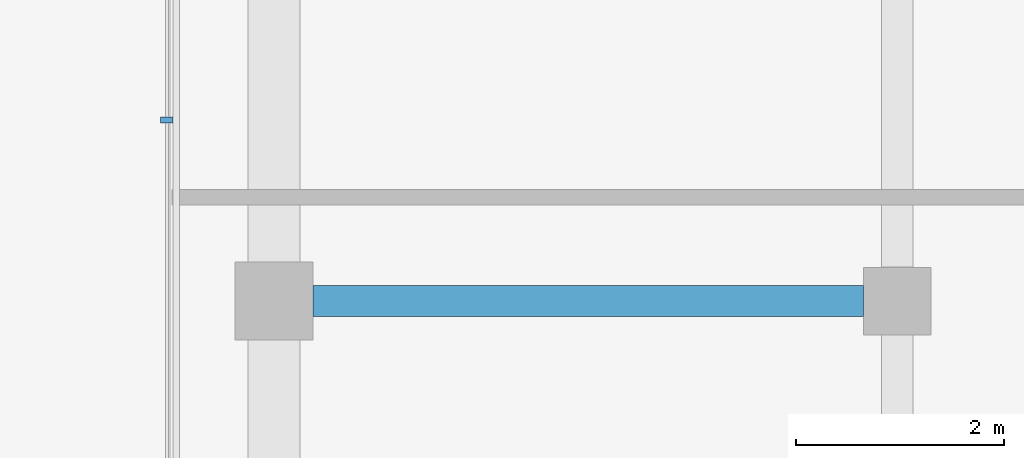
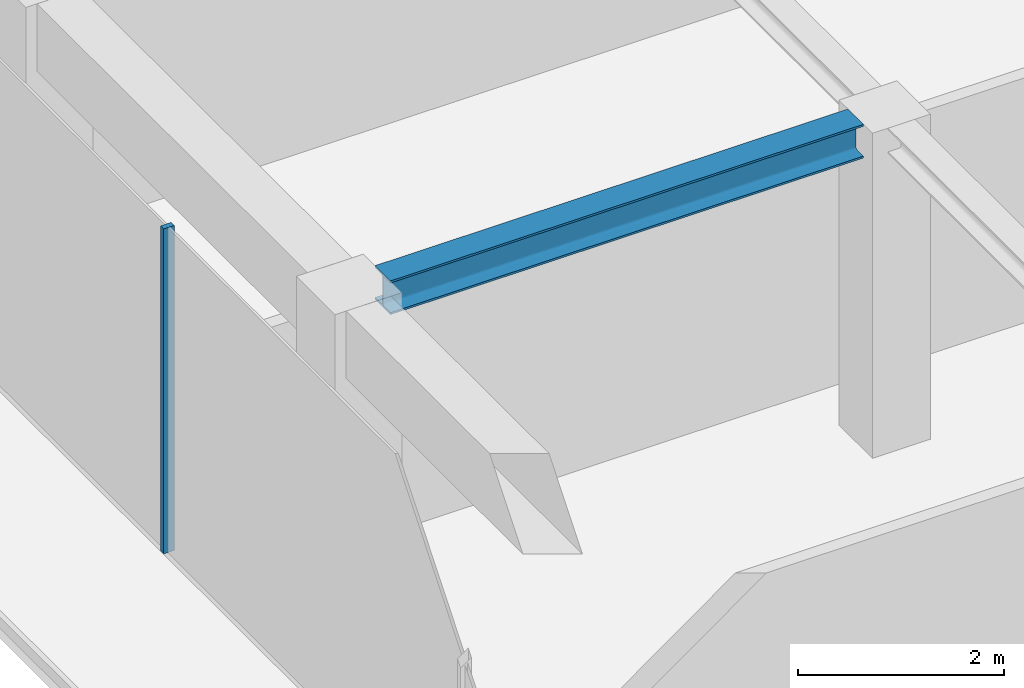
# One storey, part 8 of 18: 1 beam, 1 member, 1 element without a shape of its own.
"""IFC4 building model written with IfcOpenShell, lengths in metres."""

from ifc_helpers import new_model, si_unit, direction, frame, origin, origin_2d, place, context, subcontext, project, spatial, rectangle, i_section, extrude, material, layer, layer_set, material_profile, profile_set, type_object, element, aggregate, save


model = new_model("IFC4")

# Units and contexts
model_context = context("Model", 3, precision=1e-05, world=origin(), true_north=direction((0.0, 1.0)))
body_context = subcontext(model_context, "Body", "Model", "MODEL_VIEW")
ifc_project = project(units=[si_unit("LENGTHUNIT", "METRE"), si_unit("AREAUNIT", "SQUARE_METRE"), si_unit("VOLUMEUNIT", "CUBIC_METRE"), si_unit("PLANEANGLEUNIT", "RADIAN"), si_unit("MASSUNIT", "GRAM", prefix="KILO")], contexts=[model_context])

# Site, building, storey
site_placement = place(None, origin())
site = spatial("IfcSite", under=ifc_project, at=site_placement, CompositionType="ELEMENT")
building_placement = place(site_placement, origin())
building = spatial("IfcBuilding", under=site, at=building_placement, Name="Welwitschia Terrace Campus", CompositionType="ELEMENT")
storey_placement = place(building_placement, frame((0.0, 0.0, 285.199951171875)))
storey = spatial("IfcBuildingStorey", under=building, at=storey_placement, Name="L63", CompositionType="ELEMENT", Elevation=285.199951171875)

# Curtain wall, member
ifc_material_1 = material(Name="Bronze anodised aluminium", Category="aluminium")
ifc_layer = layer(ifc_material_1, 0.1201171875)
ifc_layer_set = layer_set([ifc_layer], Name="Bronze anodised aluminium")
curtain_wall_type = type_object("IfcCurtainWallType", Name="Curtain wall CW2 tower 6000", PredefinedType="NOTDEFINED", material=ifc_layer_set)
curtain_wall_placement = place(storey_placement, origin())
curtain_wall = element("IfcCurtainWall", 1, at=curtain_wall_placement, inside=storey, type_object=curtain_wall_type, Name="CW L63.1.0", PredefinedType="NOTDEFINED")
ifc_material_2 = material(Name="Bronze anodised aluminium", Category="aluminium")
ifc_material_profile_1 = material_profile(ifc_material_2, rectangle(XDim=0.1201171875, YDim=0.06005859375, at=origin_2d()))
ifc_profile_set_1 = profile_set([ifc_material_profile_1], Name="Bronze anodised aluminium")
member_type = type_object("IfcMemberType", Name="Mullion 60x120", PredefinedType="MULLION", material=ifc_profile_set_1)
member_placement = place(storey_placement, frame((-1.030029296875, 45.74169921875, 0.0), z_axis=(0.0, 0.0, 1.0), x_axis=(1.0, 0.0, 0.0)))
member = element("IfcMember", 2, at=member_placement, type_object=member_type, Name="Mullion L63.1.0.3", PredefinedType="MULLION", context=body_context, shape_type="SweptSolid", body=[
    extrude(rectangle(XDim=0.1201171875, YDim=0.06005859375, at=origin_2d()), origin(), (0.0, 0.0, 1.0), 3.85009765625),
])
aggregate(curtain_wall, [member])

# Beam
ifc_material_3 = material(Name="Steel S355", Category="steel")
ifc_material_profile_2 = material_profile(ifc_material_3, i_section(OverallWidth=0.300048828125, OverallDepth=0.39990234375, WebThickness=0.013427734375, FlangeThickness=0.02392578125, FilletRadius=0.027099609375, at=origin_2d()))
ifc_profile_set_2 = profile_set([ifc_material_profile_2], Name="Steel S355")
beam_type = type_object("IfcBeamType", Name="Primary beam HE 400 B", PredefinedType="BEAM", material=ifc_profile_set_2)
beam_placement = place(storey_placement, frame((0.37548828125, 44.0, 3.650146484375), z_axis=(1.0, 0.0, 0.0), x_axis=(0.0, 1.0, 0.0)))
element("IfcBeam", 3, at=beam_placement, inside=storey, type_object=beam_type, Name="Primary beam PB6", PredefinedType="BEAM", context=body_context, shape_type="SweptSolid", body=[
    extrude(i_section(OverallWidth=0.300048828125, OverallDepth=0.39990234375, WebThickness=0.013427734375, FlangeThickness=0.02392578125, FilletRadius=0.027099609375, at=origin_2d()), origin(), (0.0, 0.0, 1.0), 5.299072265625),
])

save(model, "model.ifc")
